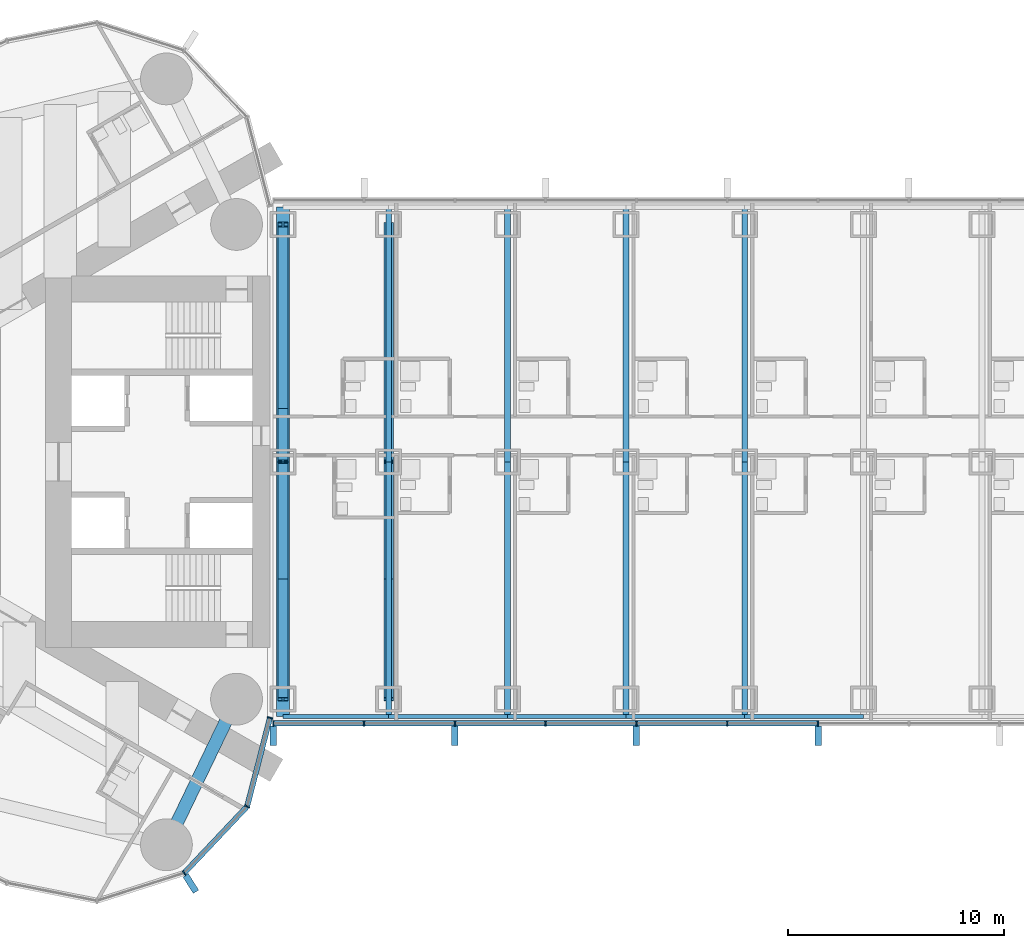
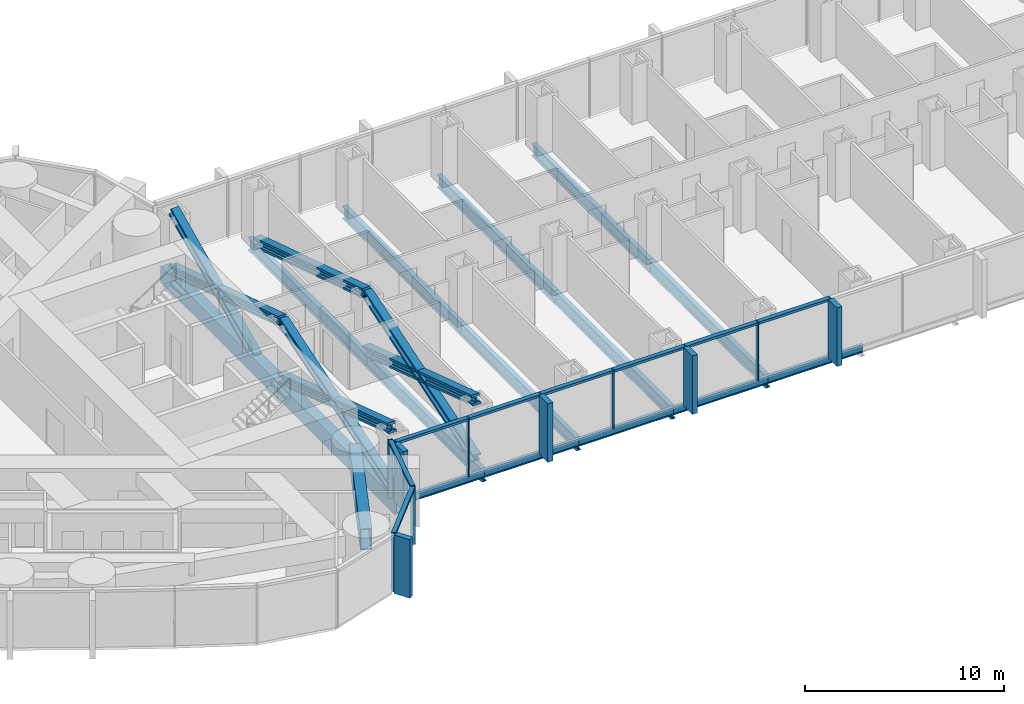
# One storey, part 4 of 23: 30 members, 16 beams, 2 elements without a shape of their own.
"""IFC4 building model written with IfcOpenShell, lengths in metres."""

import ifcopenshell
import ifcopenshell.guid

model = None  # the IFC model being written
_history = None  # IfcOwnerHistory: only IFC2X3 demands one
_inside = {}  # id of a spatial element -> (the spatial element, [elements in it])
_under = {}  # id of a project, library or spatial element -> (it, [spatial elements below it])
_declared = {}  # id of a project -> (the project, [libraries it declares])
_typed = {}  # id of a type object -> (the type object, [elements of that type])
_made_of = {}  # id of a material, layer set ... -> (it, [elements and type objects made of it])


def new_model(schema):
    """Start an empty IFC model of exactly this schema.

    Asked for "IFC4X3", IfcOpenShell would pick the latest addendum, in which some entities
    have other attributes; the version numbers below select the first issue.
    IFC2X3 requires an IfcOwnerHistory on every rooted entity: one is made here for all.
    """
    global model, _history
    if schema == "IFC4X3":
        model = ifcopenshell.file(schema_version=(4, 3, 0, 0))
    else:
        model = ifcopenshell.file(schema=schema)
    _inside.clear()
    _under.clear()
    _declared.clear()
    _typed.clear()
    _made_of.clear()
    _history = None
    if model.schema == "IFC2X3":
        org = make("IfcOrganization", Name="unknown")
        user = make(
            "IfcPersonAndOrganization",
            ThePerson=make("IfcPerson", FamilyName="unknown"),
            TheOrganization=org,
        )
        app = make(
            "IfcApplication",
            ApplicationDeveloper=org,
            Version="unknown",
            ApplicationFullName="unknown",
            ApplicationIdentifier="unknown",
        )
        _history = make(
            "IfcOwnerHistory",
            OwningUser=user,
            OwningApplication=app,
            ChangeAction="ADDED",
            CreationDate=0,
        )
    return model


def make(cls, **values):
    """One entity of the class cls with the attributes given. An attribute that is None is left unset."""
    return model.create_entity(
        cls, **{name: value for name, value in values.items() if value is not None}
    )


def rooted(cls, **values):
    """An entity with a GlobalId (a new one), such as an element, a storey or a relation."""
    return make(cls, GlobalId=ifcopenshell.guid.new(), OwnerHistory=_history, **values)


def si_unit(unit_type, name, prefix=None):
    """IfcSIUnit, for example si_unit("LENGTHUNIT", "METRE", prefix="MILLI")."""
    return make("IfcSIUnit", UnitType=unit_type, Prefix=prefix, Name=name)


def assignment(units):
    """IfcUnitAssignment: the units of a project."""
    return None if units is None else make("IfcUnitAssignment", Units=units)


def point(xyz):
    """IfcCartesianPoint."""
    return None if xyz is None else make("IfcCartesianPoint", Coordinates=xyz)


def direction(xyz):
    """IfcDirection."""
    return None if xyz is None else make("IfcDirection", DirectionRatios=xyz)


def frame(location, z_axis=None, x_axis=None):
    """IfcAxis2Placement3D, a coordinate frame: its origin and axes. An axis left out is left unset."""
    return make(
        "IfcAxis2Placement3D",
        Location=point(location),
        Axis=direction(z_axis),
        RefDirection=direction(x_axis),
    )


def frame_2d(location, x_axis=None):
    """IfcAxis2Placement2D, a coordinate frame in the plane: its origin and x axis."""
    return make(
        "IfcAxis2Placement2D", Location=point(location), RefDirection=direction(x_axis)
    )


def origin():
    """The frame at (0, 0, 0) with its axes left unset."""
    return frame((0.0, 0.0, 0.0))


def origin_2d():
    """The frame at (0, 0) in the plane with its x axis left unset."""
    return frame_2d((0.0, 0.0))


def place(relative_to, where):
    """IfcLocalPlacement: puts the frame where relative to a parent placement (None: the world)."""
    return make(
        "IfcLocalPlacement", PlacementRelTo=relative_to, RelativePlacement=where
    )


def context(
    kind, dimensions, precision=None, world=None, true_north=None, identifier=None
):
    """IfcGeometricRepresentationContext, for example the 3D "Model" context."""
    return make(
        "IfcGeometricRepresentationContext",
        ContextIdentifier=identifier,
        ContextType=kind,
        CoordinateSpaceDimension=dimensions,
        Precision=precision,
        WorldCoordinateSystem=world,
        TrueNorth=true_north,
    )


def subcontext(parent, identifier, kind, view, scale=None):
    """IfcGeometricRepresentationSubContext, for example "Body" below "Model"."""
    return make(
        "IfcGeometricRepresentationSubContext",
        ContextIdentifier=identifier,
        ContextType=kind,
        ParentContext=parent,
        TargetScale=scale,
        TargetView=view,
    )


def project(units=None, contexts=None):
    """IfcProject with its units and contexts."""
    return rooted(
        "IfcProject",
        Name="project",
        RepresentationContexts=contexts,
        UnitsInContext=assignment(units),
    )


def spatial(cls, under=None, at=None, **own):
    """A site, building, storey or space (cls), placed at a placement, below another one or the project."""
    s = rooted(cls, ObjectPlacement=at, **own)
    if under is not None:
        _under.setdefault(under.id(), (under, []))[1].append(s)
    return s


def profile(cls, at=None, kind="AREA", **sizes):
    """A parametric profile (cls). Its sizes go by their IFC names, for example OverallWidth=200.0."""
    return make(cls, ProfileType=kind, Position=at, **sizes)


def rectangle(**sizes):
    """IfcRectangleProfileDef."""
    return profile("IfcRectangleProfileDef", **sizes)


def hollow_rectangle(**sizes):
    """IfcRectangleHollowProfileDef."""
    return profile("IfcRectangleHollowProfileDef", **sizes)


def i_section(**sizes):
    """IfcIShapeProfileDef."""
    return profile("IfcIShapeProfileDef", **sizes)


def extrude(swept, where, along, depth):
    """IfcExtrudedAreaSolid: the profile swept, set in the frame where, extruded along a direction by depth."""
    return make(
        "IfcExtrudedAreaSolid",
        SweptArea=swept,
        Position=where,
        ExtrudedDirection=direction(along),
        Depth=depth,
    )


def shape(context_of_items, identifier, shape_type, items):
    """IfcShapeRepresentation: the items that make up one representation, for example the "Body"."""
    return make(
        "IfcShapeRepresentation",
        ContextOfItems=context_of_items,
        RepresentationIdentifier=identifier,
        RepresentationType=shape_type,
        Items=items,
    )


def material(Name=None, Category=None):
    """IfcMaterial."""
    return make("IfcMaterial", Name=Name, Category=Category)


def material_profile(
    of_material, cross_section, Name=None, Category=None, Priority=None
):
    """IfcMaterialProfile: a cross section and its material."""
    return make(
        "IfcMaterialProfile",
        Name=Name,
        Material=of_material,
        Profile=cross_section,
        Priority=Priority,
        Category=Category,
    )


def profile_set(profiles, Name=None, composite=None):
    """IfcMaterialProfileSet."""
    return make(
        "IfcMaterialProfileSet",
        Name=Name,
        MaterialProfiles=profiles,
        CompositeProfile=composite,
    )


def made_of(thing, what):
    """Note that an element or type object is made of a material, layer set ...; save() writes the relation."""
    if what is not None:
        _made_of.setdefault(what.id(), (what, []))[1].append(thing)
    return thing


def type_object(cls, material=None, **own):
    """A type object (cls), such as IfcWallType, which elements share."""
    return made_of(rooted(cls, **own), material)


def element(
    cls,
    number,
    at=None,
    inside=None,
    cuts=None,
    type_object=None,
    material=None,
    context=None,
    identifier="Body",
    shape_type=None,
    held_by="IfcProductDefinitionShape",
    body=None,
    shapes=None,
    **own,
):
    """One element of the class cls, such as IfcWall. Its Tag is "e" and its number.

    at: its placement. inside: the storey or other place that contains it. cuts: it is an
    opening in that element (IfcRelVoidsElement). A single representation is given by context,
    identifier, shape_type and body (its items); several are given by shapes. held_by: the class
    of the entity that holds the representations. save() writes the other relations.
    """
    e = rooted(cls, Tag="e%d" % number, ObjectPlacement=at, **own)
    if body is not None:
        shapes = [shape(context, identifier, shape_type, body)]
    if shapes is not None:
        e.Representation = make(held_by, Representations=shapes)
    if inside is not None:
        _inside.setdefault(inside.id(), (inside, []))[1].append(e)
    if cuts is not None:
        rooted(
            "IfcRelVoidsElement", RelatingBuildingElement=cuts, RelatedOpeningElement=e
        )
    if type_object is not None:
        _typed.setdefault(type_object.id(), (type_object, []))[1].append(e)
    return made_of(e, material)


def aggregate(whole, parts):
    """IfcRelAggregates: a whole, such as a stair, and the parts it consists of."""
    return rooted("IfcRelAggregates", RelatingObject=whole, RelatedObjects=parts)


def save(model, path):
    """Write the relations noted so far, then the file.

    IfcRelAggregates (storeys below a building ...), IfcRelContainedInSpatialStructure (elements
    in a storey), IfcRelDefinesByType, IfcRelAssociatesMaterial and IfcRelDeclares: one each for
    every whole, place, type object, material and project.
    """
    for whole, parts in _under.values():
        aggregate(whole, parts)
    for where, things in _inside.values():
        rooted(
            "IfcRelContainedInSpatialStructure",
            RelatedElements=things,
            RelatingStructure=where,
        )
    for kind, things in _typed.values():
        rooted("IfcRelDefinesByType", RelatedObjects=things, RelatingType=kind)
    for what, things in _made_of.values():
        rooted("IfcRelAssociatesMaterial", RelatedObjects=things, RelatingMaterial=what)
    for by, libraries in _declared.values():
        rooted("IfcRelDeclares", RelatingContext=by, RelatedDefinitions=libraries)
    model.write(path)


model = new_model("IFC4")

# Units and contexts
model_context = context("Model", 3, precision=1e-05, world=origin(), true_north=direction((0.0, 1.0)))
body_context = subcontext(model_context, "Body", "Model", "MODEL_VIEW")
ifc_project = project(units=[si_unit("LENGTHUNIT", "METRE"), si_unit("AREAUNIT", "SQUARE_METRE"), si_unit("VOLUMEUNIT", "CUBIC_METRE"), si_unit("PLANEANGLEUNIT", "RADIAN"), si_unit("MASSUNIT", "GRAM", prefix="KILO")], contexts=[model_context])

# Site, building, storey
site_placement = place(None, origin())
site = spatial("IfcSite", under=ifc_project, at=site_placement, CompositionType="ELEMENT")
building_placement = place(site_placement, origin())
building = spatial("IfcBuilding", under=site, at=building_placement, Name="Lancet Gate Hotel", CompositionType="ELEMENT")
storey_placement = place(building_placement, frame((0.0, 0.0, 215.300048828125)))
storey = spatial("IfcBuildingStorey", under=building, at=storey_placement, Name="L57", CompositionType="ELEMENT", Elevation=215.300048828125)

# Curtain wall, members
ifc_material_1 = material(Name="Aluminium curtain wall", Category="aluminium")
curtain_wall_type_1 = type_object("IfcCurtainWallType", Name="Tower unitised curtain wall", PredefinedType="USERDEFINED", material=ifc_material_1)
curtain_wall_1_placement = place(storey_placement, origin())
curtain_wall_1 = element("IfcCurtainWall", 1, at=curtain_wall_1_placement, inside=storey, type_object=curtain_wall_type_1, Name="T1 L57 curtain wall 1", ObjectType="UNITISED CURTAIN WALL", PredefinedType="USERDEFINED")
ifc_material_2 = material(Name="Aluminium mullion", Category="aluminium")
ifc_material_profile_1 = material_profile(ifc_material_2, rectangle(XDim=0.06494140625, YDim=0.25, at=origin_2d()), Name="MULLION 65x250")
ifc_profile_set_1 = profile_set([ifc_material_profile_1], Name="Aluminium mullion")
member_type_1 = type_object("IfcMemberType", Name="Aluminium mullion 65x250", PredefinedType="MULLION", material=ifc_profile_set_1)
member_1_placement = place(storey_placement, frame((-31.476318359375, -19.0576171875, 0.0), z_axis=(0.0, 0.0, 1.0), x_axis=(0.846612863, 0.532209225966, 0.0)))
member_1 = element("IfcMember", 2, at=member_1_placement, type_object=member_type_1, Name="T1 L57 curtain wall 1 mullion 23", PredefinedType="MULLION", context=body_context, shape_type="SweptSolid", body=[
    extrude(rectangle(XDim=0.06494140625, YDim=0.25, at=origin_2d()), origin(), (0.0, 0.0, 1.0), 3.599853515625),
])
member_2_placement = place(storey_placement, frame((-28.56005859375, -15.97216796875, 0.0), z_axis=(0.0, 0.0, 1.0), x_axis=(0.483627322447, 0.875274021654, 0.0)))
member_2 = element("IfcMember", 3, at=member_2_placement, type_object=member_type_1, Name="T1 L57 curtain wall 1 mullion 24", PredefinedType="MULLION", context=body_context, shape_type="SweptSolid", body=[
    extrude(rectangle(XDim=0.06494140625, YDim=0.25, at=origin_2d()), origin(), (0.0, 0.0, 1.0), 3.599853515625),
])
member_3_placement = place(storey_placement, frame((-27.5, -11.861572265625, 0.0), z_axis=(0.0, 0.0, 1.0), x_axis=(0.249725827997, 0.968316586056, 0.0)))
member_3 = element("IfcMember", 4, at=member_3_placement, type_object=member_type_1, Name="T1 L57 curtain wall 1 mullion 25", PredefinedType="MULLION", context=body_context, shape_type="SweptSolid", body=[
    extrude(rectangle(XDim=0.06494140625, YDim=0.25, at=origin_2d()), origin(), (0.0, 0.0, 1.0), 3.599853515625),
])

ifc_material_3 = material(Name="Aluminium curtain wall", Category="aluminium")
curtain_wall_type_2 = type_object("IfcCurtainWallType", Name="Bridge block curtain wall", PredefinedType="USERDEFINED", material=ifc_material_3)
curtain_wall_2_placement = place(storey_placement, origin())
curtain_wall_2 = element("IfcCurtainWall", 5, at=curtain_wall_2_placement, inside=storey, type_object=curtain_wall_type_2, Name="Bridge block L57 curtain wall S", ObjectType="UNITISED CURTAIN WALL", PredefinedType="USERDEFINED")
member_4_placement = place(storey_placement, frame((-27.35009765625, -12.1201171875, 0.0), z_axis=(0.0, 0.0, 1.0), x_axis=(1.0, 0.0, 0.0)))
member_4 = element("IfcMember", 6, at=member_4_placement, type_object=member_type_1, Name="Bridge block L57 curtain wall S mullion 1", PredefinedType="MULLION", context=body_context, shape_type="SweptSolid", body=[
    extrude(rectangle(XDim=0.06494140625, YDim=0.25, at=origin_2d()), origin(), (0.0, 0.0, 1.0), 3.599853515625),
])
member_5_placement = place(storey_placement, frame((-23.142333984375, -12.1201171875, 0.0), z_axis=(0.0, 0.0, 1.0), x_axis=(1.0, 0.0, 0.0)))
member_5 = element("IfcMember", 7, at=member_5_placement, type_object=member_type_1, Name="Bridge block L57 curtain wall S mullion 2", PredefinedType="MULLION", context=body_context, shape_type="SweptSolid", body=[
    extrude(rectangle(XDim=0.06494140625, YDim=0.25, at=origin_2d()), origin(), (0.0, 0.0, 1.0), 3.599853515625),
])
member_6_placement = place(storey_placement, frame((-18.9345703125, -12.1201171875, 0.0), z_axis=(0.0, 0.0, 1.0), x_axis=(1.0, 0.0, 0.0)))
member_6 = element("IfcMember", 8, at=member_6_placement, type_object=member_type_1, Name="Bridge block L57 curtain wall S mullion 3", PredefinedType="MULLION", context=body_context, shape_type="SweptSolid", body=[
    extrude(rectangle(XDim=0.06494140625, YDim=0.25, at=origin_2d()), origin(), (0.0, 0.0, 1.0), 3.599853515625),
])
member_7_placement = place(storey_placement, frame((-14.726806640625, -12.1201171875, 0.0), z_axis=(0.0, 0.0, 1.0), x_axis=(1.0, 0.0, 0.0)))
member_7 = element("IfcMember", 9, at=member_7_placement, type_object=member_type_1, Name="Bridge block L57 curtain wall S mullion 4", PredefinedType="MULLION", context=body_context, shape_type="SweptSolid", body=[
    extrude(rectangle(XDim=0.06494140625, YDim=0.25, at=origin_2d()), origin(), (0.0, 0.0, 1.0), 3.599853515625),
])
member_8_placement = place(storey_placement, frame((-10.519287109375, -12.1201171875, 0.0), z_axis=(0.0, 0.0, 1.0), x_axis=(1.0, 0.0, 0.0)))
member_8 = element("IfcMember", 10, at=member_8_placement, type_object=member_type_1, Name="Bridge block L57 curtain wall S mullion 5", PredefinedType="MULLION", context=body_context, shape_type="SweptSolid", body=[
    extrude(rectangle(XDim=0.06494140625, YDim=0.25, at=origin_2d()), origin(), (0.0, 0.0, 1.0), 3.599853515625),
])
member_9_placement = place(storey_placement, frame((-6.3115234375, -12.1201171875, 0.0), z_axis=(0.0, 0.0, 1.0), x_axis=(1.0, 0.0, 0.0)))
member_9 = element("IfcMember", 11, at=member_9_placement, type_object=member_type_1, Name="Bridge block L57 curtain wall S mullion 6", PredefinedType="MULLION", context=body_context, shape_type="SweptSolid", body=[
    extrude(rectangle(XDim=0.06494140625, YDim=0.25, at=origin_2d()), origin(), (0.0, 0.0, 1.0), 3.599853515625),
])
member_10_placement = place(storey_placement, frame((-2.103759765625, -12.1201171875, 0.0), z_axis=(0.0, 0.0, 1.0), x_axis=(1.0, 0.0, 0.0)))
member_10 = element("IfcMember", 12, at=member_10_placement, type_object=member_type_1, Name="Bridge block L57 curtain wall S mullion 7", PredefinedType="MULLION", context=body_context, shape_type="SweptSolid", body=[
    extrude(rectangle(XDim=0.06494140625, YDim=0.25, at=origin_2d()), origin(), (0.0, 0.0, 1.0), 3.599853515625),
])

# Member
ifc_material_4 = material(Name="Aluminium transom", Category="aluminium")
ifc_material_profile_2 = material_profile(ifc_material_4, rectangle(XDim=0.25, YDim=0.14990234375, at=origin_2d()), Name="TRANSOM 250x150")
ifc_profile_set_2 = profile_set([ifc_material_profile_2], Name="Aluminium transom")
member_type_2 = type_object("IfcMemberType", Name="Aluminium transom 250x150", PredefinedType="USERDEFINED", material=ifc_profile_set_2)
member_11_placement = place(storey_placement, frame((-31.453857421875, -19.033935546875, 3.52490234375), z_axis=(0.686880731091, 0.726770157103, 0.0), x_axis=(-0.726770157103, 0.686880731091, 0.0)))
member_11 = element("IfcMember", 13, at=member_11_placement, type_object=member_type_2, Name="T1 L57 curtain wall 1 transom 23", ObjectType="TRANSOM", PredefinedType="USERDEFINED", context=body_context, shape_type="SweptSolid", body=[
    extrude(rectangle(XDim=0.25, YDim=0.14990234375, at=origin_2d()), origin(), (0.0, 0.0, 1.0), 4.18017578125),
])

member_12_placement = place(storey_placement, frame((-28.552001953125, -15.94091796875, 3.52490234375), z_axis=(0.249715522936, 0.968319243641, 0.0), x_axis=(-0.968319243641, 0.249715522936, 0.0)))
member_12 = element("IfcMember", 14, at=member_12_placement, type_object=member_type_2, Name="T1 L57 curtain wall 1 transom 24", ObjectType="TRANSOM", PredefinedType="USERDEFINED", context=body_context, shape_type="SweptSolid", body=[
    extrude(rectangle(XDim=0.25, YDim=0.14990234375, at=origin_2d()), origin(), (0.0, 0.0, 1.0), 4.180419921875),
])

member_13_placement = place(storey_placement, frame((-27.3173828125, -12.1201171875, 3.52490234375), z_axis=(1.0, 0.0, 0.0), x_axis=(0.0, 1.0, 0.0)))
member_13 = element("IfcMember", 15, at=member_13_placement, type_object=member_type_2, Name="Bridge block L57 curtain wall S transom 1", ObjectType="TRANSOM", PredefinedType="USERDEFINED", context=body_context, shape_type="SweptSolid", body=[
    extrude(rectangle(XDim=0.25, YDim=0.14990234375, at=origin_2d()), origin(), (0.0, 0.0, 1.0), 4.142578125),
])

member_14_placement = place(storey_placement, frame((-23.10986328125, -12.1201171875, 3.52490234375), z_axis=(1.0, 0.0, 0.0), x_axis=(0.0, 1.0, 0.0)))
member_14 = element("IfcMember", 16, at=member_14_placement, type_object=member_type_2, Name="Bridge block L57 curtain wall S transom 2", ObjectType="TRANSOM", PredefinedType="USERDEFINED", context=body_context, shape_type="SweptSolid", body=[
    extrude(rectangle(XDim=0.25, YDim=0.14990234375, at=origin_2d()), origin(), (0.0, 0.0, 1.0), 4.142822265625),
])

member_15_placement = place(storey_placement, frame((-18.902099609375, -12.1201171875, 3.52490234375), z_axis=(1.0, 0.0, 0.0), x_axis=(0.0, 1.0, 0.0)))
member_15 = element("IfcMember", 17, at=member_15_placement, type_object=member_type_2, Name="Bridge block L57 curtain wall S transom 3", ObjectType="TRANSOM", PredefinedType="USERDEFINED", context=body_context, shape_type="SweptSolid", body=[
    extrude(rectangle(XDim=0.25, YDim=0.14990234375, at=origin_2d()), origin(), (0.0, 0.0, 1.0), 4.142578125),
])

member_16_placement = place(storey_placement, frame((-14.6943359375, -12.1201171875, 3.52490234375), z_axis=(1.0, 0.0, 0.0), x_axis=(0.0, 1.0, 0.0)))
member_16 = element("IfcMember", 18, at=member_16_placement, type_object=member_type_2, Name="Bridge block L57 curtain wall S transom 4", ObjectType="TRANSOM", PredefinedType="USERDEFINED", context=body_context, shape_type="SweptSolid", body=[
    extrude(rectangle(XDim=0.25, YDim=0.14990234375, at=origin_2d()), origin(), (0.0, 0.0, 1.0), 4.142578125),
])

member_17_placement = place(storey_placement, frame((-10.48681640625, -12.1201171875, 3.52490234375), z_axis=(1.0, 0.0, 0.0), x_axis=(0.0, 1.0, 0.0)))
member_17 = element("IfcMember", 19, at=member_17_placement, type_object=member_type_2, Name="Bridge block L57 curtain wall S transom 5", ObjectType="TRANSOM", PredefinedType="USERDEFINED", context=body_context, shape_type="SweptSolid", body=[
    extrude(rectangle(XDim=0.25, YDim=0.14990234375, at=origin_2d()), origin(), (0.0, 0.0, 1.0), 4.142822265625),
])

member_18_placement = place(storey_placement, frame((-6.279052734375, -12.1201171875, 3.52490234375), z_axis=(1.0, 0.0, 0.0), x_axis=(0.0, 1.0, 0.0)))
member_18 = element("IfcMember", 20, at=member_18_placement, type_object=member_type_2, Name="Bridge block L57 curtain wall S transom 6", ObjectType="TRANSOM", PredefinedType="USERDEFINED", context=body_context, shape_type="SweptSolid", body=[
    extrude(rectangle(XDim=0.25, YDim=0.14990234375, at=origin_2d()), origin(), (0.0, 0.0, 1.0), 4.142822265625),
])

# Members
ifc_material_5 = material(Name="Steel S460", Category="steel")
ifc_material_profile_3 = material_profile(ifc_material_5, i_section(OverallWidth=0.4541015625, OverallDepth=0.569091796875, WebThickness=0.077880859375, FlangeThickness=0.125, FilletRadius=0.02001953125, at=origin_2d()), Name="HD 400x1086")
ifc_profile_set_3 = profile_set([ifc_material_profile_3], Name="Steel S460")
member_type_3 = type_object("IfcMemberType", Name="Block brace HD 400x1086", PredefinedType="BRACE", material=ifc_profile_set_3)
member_19_placement = place(storey_placement, frame((-26.89990234375, -11.0, 0.0), z_axis=(0.0, 0.952925780013, 0.303203657277), x_axis=(-1.0, 0.0, 0.0)))
element("IfcMember", 21, at=member_19_placement, inside=storey, type_object=member_type_3, Name="Block brace WY11 L57", PredefinedType="BRACE", context=body_context, shape_type="SweptSolid", body=[
    extrude(i_section(OverallWidth=0.4541015625, OverallDepth=0.569091796875, WebThickness=0.077880859375, FlangeThickness=0.125, FilletRadius=0.02001953125, at=origin_2d()), origin(), (0.0, 0.0, 1.0), 11.54345703125),
])
member_20_placement = place(storey_placement, frame((-26.89990234375, 0.0, 0.0), z_axis=(0.0, -0.950400870301, 0.311027628564), x_axis=(1.0, 0.0, 0.0)))
element("IfcMember", 22, at=member_20_placement, inside=storey, type_object=member_type_3, Name="Block brace WY12 L57", PredefinedType="BRACE", context=body_context, shape_type="SweptSolid", body=[
    extrude(i_section(OverallWidth=0.4541015625, OverallDepth=0.569091796875, WebThickness=0.077880859375, FlangeThickness=0.125, FilletRadius=0.02001953125, at=origin_2d()), origin(), (0.0, 0.0, 1.0), 11.573974609375),
])
for number, where, z_axis, x_axis, name in (
    (23, (-26.89990234375, 11.0, 0.0), (0.0, -0.952925780013, 0.303203657277), (1.0, 0.0, 0.0), "Block brace WY22 L57"),
    (24, (-22.0, -11.0, 0.0), (0.0, 0.952925780013, 0.303203657277), (-1.0, 0.0, 0.0), "Block brace WI11 L57"),
):
    element("IfcMember", number, at=place(storey_placement, frame(where, z_axis=z_axis, x_axis=x_axis)), inside=storey, type_object=member_type_3, Name=name, PredefinedType="BRACE", context=body_context, shape_type="SweptSolid", body=[
        extrude(i_section(OverallWidth=0.4541015625, OverallDepth=0.569091796875, WebThickness=0.077880859375, FlangeThickness=0.125, FilletRadius=0.02001953125, at=origin_2d()), origin(), (0.0, 0.0, 1.0), 11.54345703125),
    ])
member_21_placement = place(storey_placement, frame((-22.0, 0.0, 0.0), z_axis=(0.0, -0.950400870301, 0.311027628564), x_axis=(1.0, 0.0, 0.0)))
element("IfcMember", 25, at=member_21_placement, inside=storey, type_object=member_type_3, Name="Block brace WI12 L57", PredefinedType="BRACE", context=body_context, shape_type="SweptSolid", body=[
    extrude(i_section(OverallWidth=0.4541015625, OverallDepth=0.569091796875, WebThickness=0.077880859375, FlangeThickness=0.125, FilletRadius=0.02001953125, at=origin_2d()), origin(), (0.0, 0.0, 1.0), 11.573974609375),
])
member_22_placement = place(storey_placement, frame((-22.0, 11.0, 0.0), z_axis=(0.0, -0.952925780013, 0.303203657277), x_axis=(1.0, 0.0, 0.0)))
element("IfcMember", 26, at=member_22_placement, inside=storey, type_object=member_type_3, Name="Block brace WI22 L57", PredefinedType="BRACE", context=body_context, shape_type="SweptSolid", body=[
    extrude(i_section(OverallWidth=0.4541015625, OverallDepth=0.569091796875, WebThickness=0.077880859375, FlangeThickness=0.125, FilletRadius=0.02001953125, at=origin_2d()), origin(), (0.0, 0.0, 1.0), 11.54345703125),
])
member_23_placement = place(storey_placement, frame((-26.89990234375, 2.60009765625, -0.300048828125), z_axis=(0.0, 0.907011125382, 0.421106659212), x_axis=(-1.0, 0.0, 0.0)))
element("IfcMember", 27, at=member_23_placement, inside=storey, type_object=member_type_3, Name="Block brace WY23 L57", PredefinedType="BRACE", context=body_context, shape_type="SweptSolid", body=[
    extrude(i_section(OverallWidth=0.4541015625, OverallDepth=0.569091796875, WebThickness=0.077880859375, FlangeThickness=0.125, FilletRadius=0.02001953125, at=origin_2d()), origin(), (0.0, 0.0, 1.0), 9.260986328125),
])

# Beams
ifc_material_6 = material(Name="Steel S355", Category="steel")
ifc_material_profile_4 = material_profile(ifc_material_6, i_section(OverallWidth=0.19140625, OverallDepth=0.4599609375, WebThickness=0.010009765625, FlangeThickness=0.01611328125, FilletRadius=0.01025390625, at=origin_2d()), Name="UKB 457x191x82")
ifc_profile_set_4 = profile_set([ifc_material_profile_4], Name="Steel S355")
beam_type_1 = type_object("IfcBeamType", Name="Block edge beam UKB 457x191x82", PredefinedType="SPANDREL", material=ifc_profile_set_4)
beam_1_placement = place(storey_placement, frame((-26.89990234375, -11.800048828125, -0.429931640625), z_axis=(1.0, 0.0, 0.0), x_axis=(0.0, 1.0, 0.0)))
element("IfcBeam", 28, at=beam_1_placement, inside=storey, type_object=beam_type_1, Name="Block edge beam S 0-1 L57", PredefinedType="SPANDREL", context=body_context, shape_type="SweptSolid", body=[
    extrude(i_section(OverallWidth=0.19140625, OverallDepth=0.4599609375, WebThickness=0.010009765625, FlangeThickness=0.01611328125, FilletRadius=0.01025390625, at=origin_2d()), origin(), (0.0, 0.0, 1.0), 4.89990234375),
])
for number, where, z_axis, x_axis, name in (
    (29, (-22.0, -11.800048828125, -0.429931640625), (1.0, 0.0, 0.0), (0.0, 1.0, 0.0), "Block edge beam S 1-2 L57"),
    (30, (-16.5, -11.800048828125, -0.429931640625), (1.0, 0.0, 0.0), (0.0, 1.0, 0.0), "Block edge beam S 2-3 L57"),
    (31, (-11.0, -11.800048828125, -0.429931640625), (1.0, 0.0, 0.0), (0.0, 1.0, 0.0), "Block edge beam S 3-4 L57"),
    (32, (-5.5, -11.800048828125, -0.429931640625), (1.0, 0.0, 0.0), (0.0, 1.0, 0.0), "Block edge beam S 4-5 L57"),
):
    element("IfcBeam", number, at=place(storey_placement, frame(where, z_axis=z_axis, x_axis=x_axis)), inside=storey, type_object=beam_type_1, Name=name, PredefinedType="SPANDREL", context=body_context, shape_type="SweptSolid", body=[
        extrude(i_section(OverallWidth=0.19140625, OverallDepth=0.4599609375, WebThickness=0.010009765625, FlangeThickness=0.01611328125, FilletRadius=0.01025390625, at=origin_2d()), origin(), (0.0, 0.0, 1.0), 5.5),
    ])
ifc_material_7 = material(Name="Steel S460QL", Category="steel")
ifc_material_profile_5 = material_profile(ifc_material_7, hollow_rectangle(XDim=0.60009765625, YDim=1.0, WallThickness=0.10009765625, at=origin_2d()), Name="BOX 1000x600x100")
ifc_profile_set_5 = profile_set([ifc_material_profile_5], Name="Steel S460QL")
beam_type_2 = type_object("IfcBeamType", Name="Block end beam BOX 1000x600x100", PredefinedType="BEAM", material=ifc_profile_set_5)
for number, where, z_axis, x_axis, name in (
    (33, (-26.89990234375, -11.800048828125, -0.699951171875), (0.0, 1.0, 0.0), (-1.0, 0.0, 0.0), "Block beam x0 S L57"),
    (34, (-26.89990234375, 0.0, -0.699951171875), (0.0, 1.0, 0.0), (-1.0, 0.0, 0.0), "Block beam x0 N L57"),
):
    element("IfcBeam", number, at=place(storey_placement, frame(where, z_axis=z_axis, x_axis=x_axis)), inside=storey, type_object=beam_type_2, Name=name, PredefinedType="BEAM", context=body_context, shape_type="SweptSolid", body=[
        extrude(hollow_rectangle(XDim=0.60009765625, YDim=1.0, WallThickness=0.10009765625, at=origin_2d()), origin(), (0.0, 0.0, 1.0), 11.800048828125),
    ])
ifc_material_8 = material(Name="Steel S355", Category="steel")
ifc_material_profile_6 = material_profile(ifc_material_8, i_section(OverallWidth=0.26806640625, OverallDepth=0.769775390625, WebThickness=0.015625, FlangeThickness=0.025390625, FilletRadius=0.0166015625, at=origin_2d()), Name="UKB 762x267x197")
ifc_profile_set_6 = profile_set([ifc_material_profile_6], Name="Steel S355")
beam_type_3 = type_object("IfcBeamType", Name="Block secondary beam UKB 762x267x197", PredefinedType="JOIST", material=ifc_profile_set_6)
for number, where, z_axis, x_axis, name in (
    (35, (-22.0, -11.800048828125, -0.5849609375), (0.0, 1.0, 0.0), (-1.0, 0.0, 0.0), "Block beam x1 S L57"),
    (36, (-22.0, 0.0, -0.5849609375), (0.0, 1.0, 0.0), (-1.0, 0.0, 0.0), "Block beam x1 N L57"),
    (37, (-16.5, -11.800048828125, -0.5849609375), (0.0, 1.0, 0.0), (-1.0, 0.0, 0.0), "Block beam x2 S L57"),
    (38, (-16.5, 0.0, -0.5849609375), (0.0, 1.0, 0.0), (-1.0, 0.0, 0.0), "Block beam x2 N L57"),
    (39, (-11.0, -11.800048828125, -0.5849609375), (0.0, 1.0, 0.0), (-1.0, 0.0, 0.0), "Block beam x3 S L57"),
    (40, (-11.0, 0.0, -0.5849609375), (0.0, 1.0, 0.0), (-1.0, 0.0, 0.0), "Block beam x3 N L57"),
    (41, (-5.5, -11.800048828125, -0.5849609375), (0.0, 1.0, 0.0), (-1.0, 0.0, 0.0), "Block beam x4 S L57"),
    (42, (-5.5, 0.0, -0.5849609375), (0.0, 1.0, 0.0), (-1.0, 0.0, 0.0), "Block beam x4 N L57"),
):
    element("IfcBeam", number, at=place(storey_placement, frame(where, z_axis=z_axis, x_axis=x_axis)), inside=storey, type_object=beam_type_3, Name=name, PredefinedType="JOIST", context=body_context, shape_type="SweptSolid", body=[
        extrude(i_section(OverallWidth=0.26806640625, OverallDepth=0.769775390625, WebThickness=0.015625, FlangeThickness=0.025390625, FilletRadius=0.0166015625, at=origin_2d()), origin(), (0.0, 0.0, 1.0), 11.800048828125),
    ])
ifc_material_9 = material(Name="Steel S460QL", Category="steel")
ifc_material_profile_7 = material_profile(ifc_material_9, hollow_rectangle(XDim=0.60009765625, YDim=1.300048828125, WallThickness=0.050048828125, at=origin_2d()), Name="BOX 1300x600x50")
ifc_profile_set_7 = profile_set([ifc_material_profile_7], Name="Steel S460QL")
beam_type_4 = type_object("IfcBeamType", Name="Edge beam BOX 1300x600x50", PredefinedType="SPANDREL", material=ifc_profile_set_7)
beam_2_placement = place(storey_placement, frame((-29.050048828125, -11.0, 2.699951171875), z_axis=(-0.434163599361, -0.900834040759, 0.0), x_axis=(0.900834040759, -0.434163599361, 0.0)))
element("IfcBeam", 43, at=beam_2_placement, inside=storey, type_object=beam_type_4, Name="T1 edge beam EB2 L57", PredefinedType="SPANDREL", context=body_context, shape_type="SweptSolid", body=[
    extrude(hollow_rectangle(XDim=0.60009765625, YDim=1.300048828125, WallThickness=0.050048828125, at=origin_2d()), origin(), (0.0, 0.0, 1.0), 7.48779296875),
])

# Member
ifc_material_10 = material(Name="Precast concrete C50/60", Category="concrete")
ifc_material_profile_8 = material_profile(ifc_material_10, rectangle(XDim=0.300048828125, YDim=0.89990234375, at=origin_2d()), Name="FIN 300x900")
ifc_profile_set_8 = profile_set([ifc_material_profile_8], Name="Precast concrete C50/60")
member_type_4 = type_object("IfcMemberType", Name="Exposed concrete fin 300x900", PredefinedType="USERDEFINED", material=ifc_profile_set_8)
member_24_placement = place(storey_placement, frame((-31.170166015625, -19.54443359375, 0.0), z_axis=(0.0, 0.0, 1.0), x_axis=(0.846612863, 0.532209225966, 0.0)))
member_24 = element("IfcMember", 44, at=member_24_placement, type_object=member_type_4, Name="T1 L57 curtain wall 1 fin 23", ObjectType="FIN", PredefinedType="USERDEFINED", context=body_context, shape_type="SweptSolid", body=[
    extrude(rectangle(XDim=0.300048828125, YDim=0.89990234375, at=origin_2d()), origin(), (0.0, 0.0, 1.0), 3.599853515625),
])

aggregate(curtain_wall_1, [member_1, member_24, member_2, member_3, member_11, member_12])

member_25_placement = place(storey_placement, frame((-27.35009765625, -12.695068359375, 0.0), z_axis=(0.0, 0.0, 1.0), x_axis=(1.0, 0.0, 0.0)))
member_25 = element("IfcMember", 45, at=member_25_placement, type_object=member_type_4, Name="Bridge block L57 curtain wall S fin 1", ObjectType="FIN", PredefinedType="USERDEFINED", context=body_context, shape_type="SweptSolid", body=[
    extrude(rectangle(XDim=0.300048828125, YDim=0.89990234375, at=origin_2d()), origin(), (0.0, 0.0, 1.0), 3.599853515625),
])

member_26_placement = place(storey_placement, frame((-18.9345703125, -12.695068359375, 0.0), z_axis=(0.0, 0.0, 1.0), x_axis=(1.0, 0.0, 0.0)))
member_26 = element("IfcMember", 46, at=member_26_placement, type_object=member_type_4, Name="Bridge block L57 curtain wall S fin 3", ObjectType="FIN", PredefinedType="USERDEFINED", context=body_context, shape_type="SweptSolid", body=[
    extrude(rectangle(XDim=0.300048828125, YDim=0.89990234375, at=origin_2d()), origin(), (0.0, 0.0, 1.0), 3.599853515625),
])

member_27_placement = place(storey_placement, frame((-10.519287109375, -12.695068359375, 0.0), z_axis=(0.0, 0.0, 1.0), x_axis=(1.0, 0.0, 0.0)))
member_27 = element("IfcMember", 47, at=member_27_placement, type_object=member_type_4, Name="Bridge block L57 curtain wall S fin 5", ObjectType="FIN", PredefinedType="USERDEFINED", context=body_context, shape_type="SweptSolid", body=[
    extrude(rectangle(XDim=0.300048828125, YDim=0.89990234375, at=origin_2d()), origin(), (0.0, 0.0, 1.0), 3.599853515625),
])

member_28_placement = place(storey_placement, frame((-2.103759765625, -12.695068359375, 0.0), z_axis=(0.0, 0.0, 1.0), x_axis=(1.0, 0.0, 0.0)))
member_28 = element("IfcMember", 48, at=member_28_placement, type_object=member_type_4, Name="Bridge block L57 curtain wall S fin 7", ObjectType="FIN", PredefinedType="USERDEFINED", context=body_context, shape_type="SweptSolid", body=[
    extrude(rectangle(XDim=0.300048828125, YDim=0.89990234375, at=origin_2d()), origin(), (0.0, 0.0, 1.0), 3.599853515625),
])

aggregate(curtain_wall_2, [member_4, member_25, member_5, member_6, member_26, member_7, member_8, member_27, member_9, member_10, member_28, member_13, member_14, member_15, member_16, member_17, member_18])

save(model, "model.ifc")
